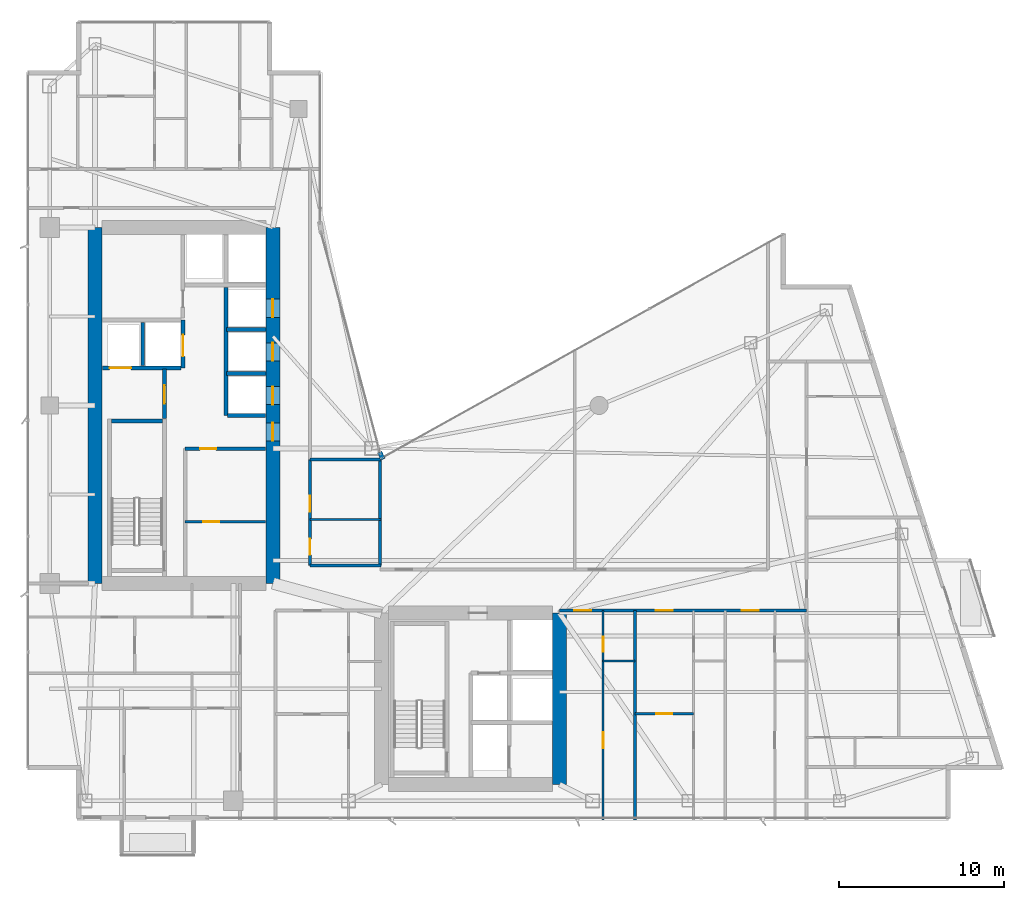
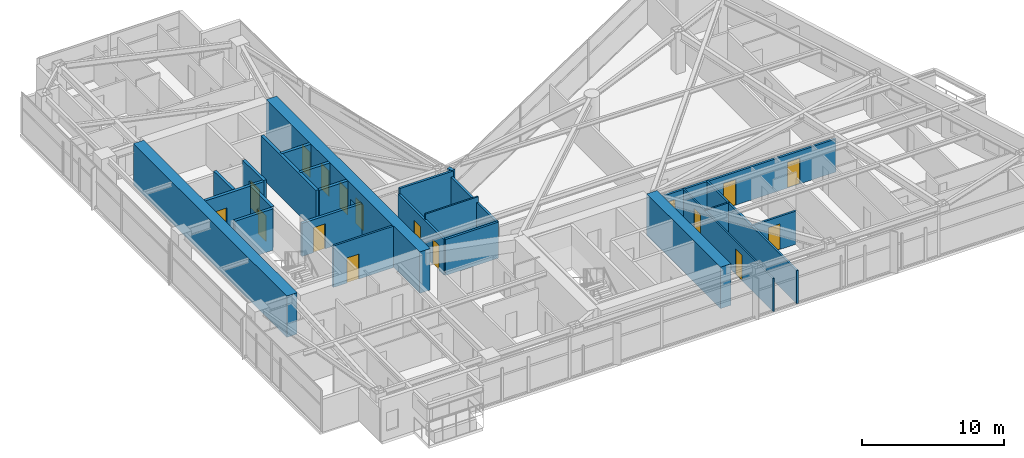
# One storey, part 23 of 29: 25 walls, 17 doors, 17 openings.
"""IFC4 building model written with IfcOpenShell, lengths in metres."""

import ifcopenshell
import ifcopenshell.guid

model = None  # the IFC model being written
_history = None  # IfcOwnerHistory: only IFC2X3 demands one
_inside = {}  # id of a spatial element -> (the spatial element, [elements in it])
_under = {}  # id of a project, library or spatial element -> (it, [spatial elements below it])
_declared = {}  # id of a project -> (the project, [libraries it declares])
_typed = {}  # id of a type object -> (the type object, [elements of that type])
_made_of = {}  # id of a material, layer set ... -> (it, [elements and type objects made of it])


def new_model(schema):
    """Start an empty IFC model of exactly this schema.

    Asked for "IFC4X3", IfcOpenShell would pick the latest addendum, in which some entities
    have other attributes; the version numbers below select the first issue.
    IFC2X3 requires an IfcOwnerHistory on every rooted entity: one is made here for all.
    """
    global model, _history
    if schema == "IFC4X3":
        model = ifcopenshell.file(schema_version=(4, 3, 0, 0))
    else:
        model = ifcopenshell.file(schema=schema)
    _inside.clear()
    _under.clear()
    _declared.clear()
    _typed.clear()
    _made_of.clear()
    _history = None
    if model.schema == "IFC2X3":
        org = make("IfcOrganization", Name="unknown")
        user = make(
            "IfcPersonAndOrganization",
            ThePerson=make("IfcPerson", FamilyName="unknown"),
            TheOrganization=org,
        )
        app = make(
            "IfcApplication",
            ApplicationDeveloper=org,
            Version="unknown",
            ApplicationFullName="unknown",
            ApplicationIdentifier="unknown",
        )
        _history = make(
            "IfcOwnerHistory",
            OwningUser=user,
            OwningApplication=app,
            ChangeAction="ADDED",
            CreationDate=0,
        )
    return model


def make(cls, **values):
    """One entity of the class cls with the attributes given. An attribute that is None is left unset."""
    return model.create_entity(
        cls, **{name: value for name, value in values.items() if value is not None}
    )


def rooted(cls, **values):
    """An entity with a GlobalId (a new one), such as an element, a storey or a relation."""
    return make(cls, GlobalId=ifcopenshell.guid.new(), OwnerHistory=_history, **values)


def si_unit(unit_type, name, prefix=None):
    """IfcSIUnit, for example si_unit("LENGTHUNIT", "METRE", prefix="MILLI")."""
    return make("IfcSIUnit", UnitType=unit_type, Prefix=prefix, Name=name)


def assignment(units):
    """IfcUnitAssignment: the units of a project."""
    return None if units is None else make("IfcUnitAssignment", Units=units)


def point(xyz):
    """IfcCartesianPoint."""
    return None if xyz is None else make("IfcCartesianPoint", Coordinates=xyz)


def direction(xyz):
    """IfcDirection."""
    return None if xyz is None else make("IfcDirection", DirectionRatios=xyz)


def frame(location, z_axis=None, x_axis=None):
    """IfcAxis2Placement3D, a coordinate frame: its origin and axes. An axis left out is left unset."""
    return make(
        "IfcAxis2Placement3D",
        Location=point(location),
        Axis=direction(z_axis),
        RefDirection=direction(x_axis),
    )


def frame_2d(location, x_axis=None):
    """IfcAxis2Placement2D, a coordinate frame in the plane: its origin and x axis."""
    return make(
        "IfcAxis2Placement2D", Location=point(location), RefDirection=direction(x_axis)
    )


def origin():
    """The frame at (0, 0, 0) with its axes left unset."""
    return frame((0.0, 0.0, 0.0))


def place(relative_to, where):
    """IfcLocalPlacement: puts the frame where relative to a parent placement (None: the world)."""
    return make(
        "IfcLocalPlacement", PlacementRelTo=relative_to, RelativePlacement=where
    )


def context(
    kind, dimensions, precision=None, world=None, true_north=None, identifier=None
):
    """IfcGeometricRepresentationContext, for example the 3D "Model" context."""
    return make(
        "IfcGeometricRepresentationContext",
        ContextIdentifier=identifier,
        ContextType=kind,
        CoordinateSpaceDimension=dimensions,
        Precision=precision,
        WorldCoordinateSystem=world,
        TrueNorth=true_north,
    )


def subcontext(parent, identifier, kind, view, scale=None):
    """IfcGeometricRepresentationSubContext, for example "Body" below "Model"."""
    return make(
        "IfcGeometricRepresentationSubContext",
        ContextIdentifier=identifier,
        ContextType=kind,
        ParentContext=parent,
        TargetScale=scale,
        TargetView=view,
    )


def project(units=None, contexts=None):
    """IfcProject with its units and contexts."""
    return rooted(
        "IfcProject",
        Name="project",
        RepresentationContexts=contexts,
        UnitsInContext=assignment(units),
    )


def spatial(cls, under=None, at=None, **own):
    """A site, building, storey or space (cls), placed at a placement, below another one or the project."""
    s = rooted(cls, ObjectPlacement=at, **own)
    if under is not None:
        _under.setdefault(under.id(), (under, []))[1].append(s)
    return s


def profile(cls, at=None, kind="AREA", **sizes):
    """A parametric profile (cls). Its sizes go by their IFC names, for example OverallWidth=200.0."""
    return make(cls, ProfileType=kind, Position=at, **sizes)


def rectangle(**sizes):
    """IfcRectangleProfileDef."""
    return profile("IfcRectangleProfileDef", **sizes)


def extrude(swept, where, along, depth):
    """IfcExtrudedAreaSolid: the profile swept, set in the frame where, extruded along a direction by depth."""
    return make(
        "IfcExtrudedAreaSolid",
        SweptArea=swept,
        Position=where,
        ExtrudedDirection=direction(along),
        Depth=depth,
    )


def shape(context_of_items, identifier, shape_type, items):
    """IfcShapeRepresentation: the items that make up one representation, for example the "Body"."""
    return make(
        "IfcShapeRepresentation",
        ContextOfItems=context_of_items,
        RepresentationIdentifier=identifier,
        RepresentationType=shape_type,
        Items=items,
    )


def material(Name=None, Category=None):
    """IfcMaterial."""
    return make("IfcMaterial", Name=Name, Category=Category)


def layer(
    of_material, thickness, ventilated=None, Name=None, Category=None, Priority=None
):
    """IfcMaterialLayer: one layer of a wall or slab, of a material (None: an air gap)."""
    return make(
        "IfcMaterialLayer",
        Material=of_material,
        LayerThickness=thickness,
        IsVentilated=ventilated,
        Name=Name,
        Category=Category,
        Priority=Priority,
    )


def layer_set(layers, Name=None):
    """IfcMaterialLayerSet."""
    return make("IfcMaterialLayerSet", MaterialLayers=layers, LayerSetName=Name)


def made_of(thing, what):
    """Note that an element or type object is made of a material, layer set ...; save() writes the relation."""
    if what is not None:
        _made_of.setdefault(what.id(), (what, []))[1].append(thing)
    return thing


def type_object(cls, material=None, **own):
    """A type object (cls), such as IfcWallType, which elements share."""
    return made_of(rooted(cls, **own), material)


def element(
    cls,
    number,
    at=None,
    inside=None,
    cuts=None,
    type_object=None,
    material=None,
    context=None,
    identifier="Body",
    shape_type=None,
    held_by="IfcProductDefinitionShape",
    body=None,
    shapes=None,
    **own,
):
    """One element of the class cls, such as IfcWall. Its Tag is "e" and its number.

    at: its placement. inside: the storey or other place that contains it. cuts: it is an
    opening in that element (IfcRelVoidsElement). A single representation is given by context,
    identifier, shape_type and body (its items); several are given by shapes. held_by: the class
    of the entity that holds the representations. save() writes the other relations.
    """
    e = rooted(cls, Tag="e%d" % number, ObjectPlacement=at, **own)
    if body is not None:
        shapes = [shape(context, identifier, shape_type, body)]
    if shapes is not None:
        e.Representation = make(held_by, Representations=shapes)
    if inside is not None:
        _inside.setdefault(inside.id(), (inside, []))[1].append(e)
    if cuts is not None:
        rooted(
            "IfcRelVoidsElement", RelatingBuildingElement=cuts, RelatedOpeningElement=e
        )
    if type_object is not None:
        _typed.setdefault(type_object.id(), (type_object, []))[1].append(e)
    return made_of(e, material)


def fill(opening, filler):
    """IfcRelFillsElement: the door or window that sits in an opening."""
    return rooted(
        "IfcRelFillsElement",
        RelatingOpeningElement=opening,
        RelatedBuildingElement=filler,
    )


def aggregate(whole, parts):
    """IfcRelAggregates: a whole, such as a stair, and the parts it consists of."""
    return rooted("IfcRelAggregates", RelatingObject=whole, RelatedObjects=parts)


def save(model, path):
    """Write the relations noted so far, then the file.

    IfcRelAggregates (storeys below a building ...), IfcRelContainedInSpatialStructure (elements
    in a storey), IfcRelDefinesByType, IfcRelAssociatesMaterial and IfcRelDeclares: one each for
    every whole, place, type object, material and project.
    """
    for whole, parts in _under.values():
        aggregate(whole, parts)
    for where, things in _inside.values():
        rooted(
            "IfcRelContainedInSpatialStructure",
            RelatedElements=things,
            RelatingStructure=where,
        )
    for kind, things in _typed.values():
        rooted("IfcRelDefinesByType", RelatedObjects=things, RelatingType=kind)
    for what, things in _made_of.values():
        rooted("IfcRelAssociatesMaterial", RelatedObjects=things, RelatingMaterial=what)
    for by, libraries in _declared.values():
        rooted("IfcRelDeclares", RelatingContext=by, RelatedDefinitions=libraries)
    model.write(path)


model = new_model("IFC4")

# Units and contexts
model_context = context("Model", 3, precision=1e-05, world=origin(), true_north=direction((0.0, 1.0)))
body_context = subcontext(model_context, "Body", "Model", "MODEL_VIEW")
ifc_project = project(units=[si_unit("LENGTHUNIT", "METRE"), si_unit("AREAUNIT", "SQUARE_METRE"), si_unit("VOLUMEUNIT", "CUBIC_METRE"), si_unit("PLANEANGLEUNIT", "RADIAN"), si_unit("MASSUNIT", "GRAM", prefix="KILO")], contexts=[model_context])

# Site, building, storey
site_placement = place(None, origin())
site = spatial("IfcSite", under=ifc_project, at=site_placement, CompositionType="ELEMENT")
building_placement = place(site_placement, origin())
building = spatial("IfcBuilding", under=site, at=building_placement, Name="Calvorn Quay Hotel", CompositionType="ELEMENT")
storey_placement = place(building_placement, frame((0.0, 0.0, 105.0)))
storey = spatial("IfcBuildingStorey", under=building, at=storey_placement, Name="L25", CompositionType="ELEMENT", Elevation=105.0)

# Wall
ifc_material_1 = material(Name="Concrete C50", Category="concrete")
ifc_layer_1 = layer(ifc_material_1, 0.85009765625)
ifc_layer_set_1 = layer_set([ifc_layer_1], Name="WL-CORE-850")
wall_type_1 = type_object("IfcWallType", Name="WL-CORE-850", PredefinedType="SHEAR", material=ifc_layer_set_1)
wall_1_placement = place(storey_placement, frame((4.199951171875, 16.800048828125, 0.0), z_axis=(0.0, 0.0, 1.0), x_axis=(0.0, 1.0, 0.0)))
element("IfcWall", 1, at=wall_1_placement, inside=storey, type_object=wall_type_1, Name="West Core Shear Wall W (L25)", PredefinedType="SHEAR", context=body_context, shape_type="SweptSolid", body=[
    extrude(rectangle(XDim=21.599853515625, YDim=0.85009765625, at=frame_2d((10.7998046875, 0.0))), origin(), (0.0, 0.0, 1.0), 3.56005859375),
])

# Wall, openings, doors
wall_2_placement = place(storey_placement, frame((15.0, 16.800048828125, 0.0), z_axis=(0.0, 0.0, 1.0), x_axis=(0.0, 1.0, 0.0)))
wall_2 = element("IfcWall", 2, at=wall_2_placement, inside=storey, type_object=wall_type_1, Name="West Core Shear Wall E (L25)", PredefinedType="SHEAR", context=body_context, shape_type="SweptSolid", body=[
    extrude(rectangle(XDim=21.599853515625, YDim=0.85009765625, at=frame_2d((10.7998046875, 0.0))), origin(), (0.0, 0.0, 1.0), 3.56005859375),
])
opening_1_placement = place(wall_2_placement, frame((8.64990234375, 0.0, 0.0)))
opening_1 = element("IfcOpeningElement", 3, at=opening_1_placement, cuts=wall_2, Name="Opening D-L25-CW1", PredefinedType="OPENING", context=body_context, shape_type="SweptSolid", body=[
    extrude(rectangle(XDim=1.10009765625, YDim=2.199951171875, at=frame_2d((0.550048828125, 1.10009765625))), frame((0.0, 0.43505859375, 0.0), z_axis=(0.0, -1.0, 0.0), x_axis=(1.0, 0.0, 0.0)), (0.0, 0.0, 1.0), 0.8701171875),
])
opening_2_placement = place(wall_2_placement, frame((10.85009765625, 0.0, 0.0)))
opening_2 = element("IfcOpeningElement", 4, at=opening_2_placement, cuts=wall_2, Name="Opening LD-L25-M1", PredefinedType="OPENING", context=body_context, shape_type="SweptSolid", body=[
    extrude(rectangle(XDim=1.10009765625, YDim=2.199951171875, at=frame_2d((0.550048828125, 1.10009765625))), frame((0.0, 0.43505859375, 0.0), z_axis=(0.0, -1.0, 0.0), x_axis=(1.0, 0.0, 0.0)), (0.0, 0.0, 1.0), 0.8701171875),
])
opening_3_placement = place(wall_2_placement, frame((13.5, 0.0, 0.0)))
opening_3 = element("IfcOpeningElement", 5, at=opening_3_placement, cuts=wall_2, Name="Opening LD-L25-M2", PredefinedType="OPENING", context=body_context, shape_type="SweptSolid", body=[
    extrude(rectangle(XDim=1.10009765625, YDim=2.199951171875, at=frame_2d((0.550048828125, 1.10009765625))), frame((0.0, 0.43505859375, 0.0), z_axis=(0.0, -1.0, 0.0), x_axis=(1.0, 0.0, 0.0)), (0.0, 0.0, 1.0), 0.8701171875),
])
opening_4_placement = place(wall_2_placement, frame((16.14990234375, 0.0, 0.0)))
opening_4 = element("IfcOpeningElement", 6, at=opening_4_placement, cuts=wall_2, Name="Opening LD-L25-M3", PredefinedType="OPENING", context=body_context, shape_type="SweptSolid", body=[
    extrude(rectangle(XDim=1.10009765625, YDim=2.199951171875, at=frame_2d((0.550048828125, 1.10009765625))), frame((0.0, 0.43505859375, 0.0), z_axis=(0.0, -1.0, 0.0), x_axis=(1.0, 0.0, 0.0)), (0.0, 0.0, 1.0), 0.8701171875),
])
ifc_material_2 = material(Name="Smoke-Sealed Steel Class A Fire Door", Category="steel")
door_type_1 = type_object("IfcDoorType", Name="DR-FFLOBBY-1100", OperationType="NOTDEFINED", PredefinedType="DOOR", material=ifc_material_2)
door_1_placement = place(opening_1_placement, origin())
door_1 = element("IfcDoor", 7, at=door_1_placement, inside=storey, type_object=door_type_1, Name="West Core Vestibule Fire Door (L25)", OperationType="SINGLE_SWING_RIGHT", OverallHeight=2.199951171875, OverallWidth=1.10009765625, PredefinedType="DOOR", context=body_context, shape_type="SweptSolid", body=[
    extrude(rectangle(XDim=1.10009765625, YDim=2.199951171875, at=frame_2d((0.550048828125, 1.10009765625))), frame((0.0, 0.02490234375, 0.0), z_axis=(0.0, -1.0, 0.0), x_axis=(1.0, 0.0, 0.0)), (0.0, 0.0, 1.0), 0.050048828125),
])
fill(opening_1, door_1)
ifc_material_3 = material(Name="Brushed Stainless Steel Sliding Lift Landing Door", Category="steel")
door_type_2 = type_object("IfcDoorType", Name="DR-LIFT-PASS-1100", OperationType="NOTDEFINED", PredefinedType="DOOR", material=ifc_material_3)
door_2_placement = place(opening_2_placement, origin())
door_2 = element("IfcDoor", 8, at=door_2_placement, inside=storey, type_object=door_type_2, Name="Mid-Rise Lift PL-M1 Landing Door (L25)", OperationType="DOUBLE_DOOR_SLIDING", OverallHeight=2.199951171875, OverallWidth=1.10009765625, PredefinedType="DOOR", context=body_context, shape_type="SweptSolid", body=[
    extrude(rectangle(XDim=1.10009765625, YDim=2.199951171875, at=frame_2d((0.550048828125, 1.10009765625))), frame((0.0, 0.02490234375, 0.0), z_axis=(0.0, -1.0, 0.0), x_axis=(1.0, 0.0, 0.0)), (0.0, 0.0, 1.0), 0.050048828125),
])
fill(opening_2, door_2)
door_3_placement = place(opening_3_placement, origin())
door_3 = element("IfcDoor", 9, at=door_3_placement, inside=storey, type_object=door_type_2, Name="Mid-Rise Lift PL-M2 Landing Door (L25)", OperationType="DOUBLE_DOOR_SLIDING", OverallHeight=2.199951171875, OverallWidth=1.10009765625, PredefinedType="DOOR", context=body_context, shape_type="SweptSolid", body=[
    extrude(rectangle(XDim=1.10009765625, YDim=2.199951171875, at=frame_2d((0.550048828125, 1.10009765625))), frame((0.0, 0.02490234375, 0.0), z_axis=(0.0, -1.0, 0.0), x_axis=(1.0, 0.0, 0.0)), (0.0, 0.0, 1.0), 0.050048828125),
])
fill(opening_3, door_3)
door_4_placement = place(opening_4_placement, origin())
door_4 = element("IfcDoor", 10, at=door_4_placement, inside=storey, type_object=door_type_2, Name="Mid-Rise Lift PL-M3 Landing Door (L25)", OperationType="DOUBLE_DOOR_SLIDING", OverallHeight=2.199951171875, OverallWidth=1.10009765625, PredefinedType="DOOR", context=body_context, shape_type="SweptSolid", body=[
    extrude(rectangle(XDim=1.10009765625, YDim=2.199951171875, at=frame_2d((0.550048828125, 1.10009765625))), frame((0.0, 0.02490234375, 0.0), z_axis=(0.0, -1.0, 0.0), x_axis=(1.0, 0.0, 0.0)), (0.0, 0.0, 1.0), 0.050048828125),
])
fill(opening_4, door_4)

# Walls
wall_3_placement = place(storey_placement, frame((32.39990234375, 4.60009765625, 0.0), z_axis=(0.0, 0.0, 1.0), x_axis=(0.0, 1.0, 0.0)))
element("IfcWall", 11, at=wall_3_placement, inside=storey, type_object=wall_type_1, Name="East Core Shear Wall E (L25)", PredefinedType="SHEAR", context=body_context, shape_type="SweptSolid", body=[
    extrude(rectangle(XDim=10.39990234375, YDim=0.85009765625, at=frame_2d((5.199951171875, 0.0))), origin(), (0.0, 0.0, 1.0), 3.56005859375),
])
ifc_material_4 = material(Name="Acoustic Fireboard Steel-Stud Partition", Category="steel")
ifc_layer_2 = layer(ifc_material_4, 0.179931640625)
ifc_layer_set_2 = layer_set([ifc_layer_2], Name="WL-CORR-FIRE-180")
wall_type_2 = type_object("IfcWallType", Name="WL-CORR-FIRE-180", PredefinedType="PARTITIONING", material=ifc_layer_set_2)
wall_4_placement = place(storey_placement, frame((17.25, 17.8798828125, 0.0), z_axis=(0.0, 0.0, 1.0), x_axis=(1.0, 0.0, 0.0)))
element("IfcWall", 12, at=wall_4_placement, inside=storey, type_object=wall_type_2, Name="Partition Wall L25-WL-HK-S", PredefinedType="PARTITIONING", context=body_context, shape_type="SweptSolid", body=[
    extrude(rectangle(XDim=4.300048828125, YDim=0.179931640625, at=frame_2d((2.14990234375, 0.0))), origin(), (0.0, 0.0, 1.0), 3.090087890625),
])
wall_5_placement = place(storey_placement, frame((17.25, 24.320068359375, 0.0), z_axis=(0.0, 0.0, 1.0), x_axis=(1.0, 0.0, 0.0)))
element("IfcWall", 13, at=wall_5_placement, inside=storey, type_object=wall_type_2, Name="Partition Wall L25-WL-HK-N", PredefinedType="PARTITIONING", context=body_context, shape_type="SweptSolid", body=[
    extrude(rectangle(XDim=4.35009765625, YDim=0.179931640625, at=frame_2d((2.175048828125, 0.0))), origin(), (0.0, 0.0, 1.0), 3.56005859375),
])
wall_6_placement = place(storey_placement, frame((21.5, 17.8798828125, 0.0), z_axis=(0.0, 0.0, 1.0), x_axis=(0.0, 1.0, 0.0)))
element("IfcWall", 14, at=wall_6_placement, inside=storey, type_object=wall_type_2, Name="Partition Wall L25-WL-HK-E", PredefinedType="PARTITIONING", context=body_context, shape_type="SweptSolid", body=[
    extrude(rectangle(XDim=6.440185546875, YDim=0.179931640625, at=frame_2d((3.22021484375, 0.0))), origin(), (0.0, 0.0, 1.0), 3.090087890625),
])

# Wall, openings, doors
wall_7_placement = place(storey_placement, frame((17.25, 17.8798828125, 0.0), z_axis=(0.0, 0.0, 1.0), x_axis=(0.0, 1.0, 0.0)))
wall_7 = element("IfcWall", 15, at=wall_7_placement, inside=storey, type_object=wall_type_2, Name="Partition Wall L25-WL-HK-W", PredefinedType="PARTITIONING", context=body_context, shape_type="SweptSolid", body=[
    extrude(rectangle(XDim=6.440185546875, YDim=0.179931640625, at=frame_2d((3.22021484375, 0.0))), origin(), (0.0, 0.0, 1.0), 3.090087890625),
])
opening_5_placement = place(wall_7_placement, frame((0.64990234375, 0.0, 0.0)))
opening_5 = element("IfcOpeningElement", 16, at=opening_5_placement, cuts=wall_7, Name="Opening D-L25-HK", PredefinedType="OPENING", context=body_context, shape_type="SweptSolid", body=[
    extrude(rectangle(XDim=0.97998046875, YDim=2.14990234375, at=frame_2d((0.489990234375, 1.074951171875))), frame((0.0, 0.099853515625, 0.0), z_axis=(0.0, -1.0, 0.0), x_axis=(1.0, 0.0, 0.0)), (0.0, 0.0, 1.0), 0.199951171875),
])
opening_6_placement = place(wall_7_placement, frame((3.27001953125, 0.0, 0.0)))
opening_6 = element("IfcOpeningElement", 17, at=opening_6_placement, cuts=wall_7, Name="Opening D-L25-NCP", PredefinedType="OPENING", context=body_context, shape_type="SweptSolid", body=[
    extrude(rectangle(XDim=0.9599609375, YDim=2.199951171875, at=frame_2d((0.47998046875, 1.10009765625))), frame((0.0, 0.099853515625, 0.0), z_axis=(0.0, -1.0, 0.0), x_axis=(1.0, 0.0, 0.0)), (0.0, 0.0, 1.0), 0.199951171875),
])
ifc_material_5 = material(Name="Painted Steel Housekeeping/Riser Fire Door", Category="steel")
door_type_3 = type_object("IfcDoorType", Name="DR-SERVICE-980", OperationType="NOTDEFINED", PredefinedType="DOOR", material=ifc_material_5)
door_5_placement = place(opening_5_placement, origin())
door_5 = element("IfcDoor", 18, at=door_5_placement, inside=storey, type_object=door_type_3, Name="Floor Housekeeping Door (L25)", OperationType="SINGLE_SWING_LEFT", OverallHeight=2.14990234375, OverallWidth=0.97998046875, PredefinedType="DOOR", context=body_context, shape_type="SweptSolid", body=[
    extrude(rectangle(XDim=0.97998046875, YDim=2.14990234375, at=frame_2d((0.489990234375, 1.074951171875))), frame((0.0, 0.02490234375, 0.0), z_axis=(0.0, -1.0, 0.0), x_axis=(1.0, 0.0, 0.0)), (0.0, 0.0, 1.0), 0.050048828125),
])
fill(opening_5, door_5)
ifc_material_6 = material(Name="Solid Timber Internal Suite Door", Category="wood")
door_type_4 = type_object("IfcDoorType", Name="DR-SUITE-INT-960", OperationType="NOTDEFINED", PredefinedType="DOOR", material=ifc_material_6)
door_6_placement = place(opening_6_placement, origin())
door_6 = element("IfcDoor", 19, at=door_6_placement, inside=storey, type_object=door_type_4, Name="Reading Alcove Door (L25)", OperationType="SINGLE_SWING_RIGHT", OverallHeight=2.199951171875, OverallWidth=0.9599609375, PredefinedType="DOOR", context=body_context, shape_type="SweptSolid", body=[
    extrude(rectangle(XDim=0.9599609375, YDim=2.199951171875, at=frame_2d((0.47998046875, 1.10009765625))), frame((0.0, 0.02490234375, 0.0), z_axis=(0.0, -1.0, 0.0), x_axis=(1.0, 0.0, 0.0)), (0.0, 0.0, 1.0), 0.050048828125),
])
fill(opening_6, door_6)

wall_8_placement = place(storey_placement, frame((32.39990234375, 15.14990234375, 0.0), z_axis=(0.0, 0.0, 1.0), x_axis=(1.0, 0.0, 0.0)))
wall_8 = element("IfcWall", 20, at=wall_8_placement, inside=storey, type_object=wall_type_2, Name="Partition Wall L25-WL-CORR-SE-S", PredefinedType="PARTITIONING", context=body_context, shape_type="SweptSolid", body=[
    extrude(rectangle(XDim=15.0, YDim=0.179931640625, at=frame_2d((7.5, 0.0))), origin(), (0.0, 0.0, 1.0), 2.840087890625),
])
opening_7_placement = place(wall_8_placement, frame((0.909912109375, 0.0, 0.0)))
opening_7 = element("IfcOpeningElement", 21, at=opening_7_placement, cuts=wall_8, Name="Opening D-L25-U06", PredefinedType="OPENING", context=body_context, shape_type="SweptSolid", body=[
    extrude(rectangle(XDim=1.02001953125, YDim=2.199951171875, at=frame_2d((0.510009765625, 1.10009765625))), frame((0.0, 0.099853515625, 0.0), z_axis=(0.0, -1.0, 0.0), x_axis=(1.0, 0.0, 0.0)), (0.0, 0.0, 1.0), 0.199951171875),
])
opening_8_placement = place(wall_8_placement, frame((5.85009765625, 0.0, 0.0)))
opening_8 = element("IfcOpeningElement", 22, at=opening_8_placement, cuts=wall_8, Name="Opening D-L25-U07", PredefinedType="OPENING", context=body_context, shape_type="SweptSolid", body=[
    extrude(rectangle(XDim=1.02001953125, YDim=2.199951171875, at=frame_2d((0.510009765625, 1.10009765625))), frame((0.0, 0.099853515625, 0.0), z_axis=(0.0, -1.0, 0.0), x_axis=(1.0, 0.0, 0.0)), (0.0, 0.0, 1.0), 0.199951171875),
])
opening_9_placement = place(wall_8_placement, frame((11.06005859375, 0.0, 0.0)))
opening_9 = element("IfcOpeningElement", 23, at=opening_9_placement, cuts=wall_8, Name="Opening D-L25-U08", PredefinedType="OPENING", context=body_context, shape_type="SweptSolid", body=[
    extrude(rectangle(XDim=1.02001953125, YDim=2.199951171875, at=frame_2d((0.510009765625, 1.10009765625))), frame((0.0, 0.099853515625, 0.0), z_axis=(0.0, -1.0, 0.0), x_axis=(1.0, 0.0, 0.0)), (0.0, 0.0, 1.0), 0.199951171875),
])
ifc_material_7 = material(Name="Solid-Core Walnut Veneer Hotel Fire Door")
door_type_5 = type_object("IfcDoorType", Name="DR-GUEST-ENTRY-1020", OperationType="NOTDEFINED", PredefinedType="DOOR", material=ifc_material_7)
door_7_placement = place(opening_7_placement, origin())
door_7 = element("IfcDoor", 24, at=door_7_placement, inside=storey, type_object=door_type_5, Name="South-East Unit Door U06 (L25)", OperationType="SINGLE_SWING_LEFT", OverallHeight=2.199951171875, OverallWidth=1.02001953125, PredefinedType="DOOR", context=body_context, shape_type="SweptSolid", body=[
    extrude(rectangle(XDim=1.02001953125, YDim=2.199951171875, at=frame_2d((0.510009765625, 1.10009765625))), frame((0.0, 0.02490234375, 0.0), z_axis=(0.0, -1.0, 0.0), x_axis=(1.0, 0.0, 0.0)), (0.0, 0.0, 1.0), 0.050048828125),
])
fill(opening_7, door_7)
door_8_placement = place(opening_8_placement, origin())
door_8 = element("IfcDoor", 25, at=door_8_placement, inside=storey, type_object=door_type_5, Name="South-East Unit Door U07 (L25)", OperationType="SINGLE_SWING_RIGHT", OverallHeight=2.199951171875, OverallWidth=1.02001953125, PredefinedType="DOOR", context=body_context, shape_type="SweptSolid", body=[
    extrude(rectangle(XDim=1.02001953125, YDim=2.199951171875, at=frame_2d((0.510009765625, 1.10009765625))), frame((0.0, 0.02490234375, 0.0), z_axis=(0.0, -1.0, 0.0), x_axis=(1.0, 0.0, 0.0)), (0.0, 0.0, 1.0), 0.050048828125),
])
fill(opening_8, door_8)
door_9_placement = place(opening_9_placement, origin())
door_9 = element("IfcDoor", 26, at=door_9_placement, inside=storey, type_object=door_type_5, Name="South-East Unit Door U08 (L25)", OperationType="SINGLE_SWING_LEFT", OverallHeight=2.199951171875, OverallWidth=1.02001953125, PredefinedType="DOOR", context=body_context, shape_type="SweptSolid", body=[
    extrude(rectangle(XDim=1.02001953125, YDim=2.199951171875, at=frame_2d((0.510009765625, 1.10009765625))), frame((0.0, 0.02490234375, 0.0), z_axis=(0.0, -1.0, 0.0), x_axis=(1.0, 0.0, 0.0)), (0.0, 0.0, 1.0), 0.050048828125),
])
fill(opening_9, door_9)

# Walls
ifc_material_8 = material(Name="Moisture-Resistant Tile-Backed Partition")
ifc_layer_3 = layer(ifc_material_8, 0.125)
ifc_layer_set_3 = layer_set([ifc_layer_3], Name="WL-ENSUITE-125")
wall_type_3 = type_object("IfcWallType", Name="WL-ENSUITE-125", PredefinedType="PARTITIONING", material=ifc_layer_set_3)
wall_9_placement = place(storey_placement, frame((17.25, 20.679931640625, 0.0), z_axis=(0.0, 0.0, 1.0), x_axis=(1.0, 0.0, 0.0)))
element("IfcWall", 27, at=wall_9_placement, inside=storey, type_object=wall_type_3, Name="Partition Wall L25-WL-HK-M", PredefinedType="PARTITIONING", context=body_context, shape_type="SweptSolid", body=[
    extrude(rectangle(XDim=4.300048828125, YDim=0.125, at=frame_2d((2.14990234375, 0.0))), origin(), (0.0, 0.0, 1.0), 3.56005859375),
])
wall_10_placement = place(storey_placement, frame((35.050048828125, 12.10009765625, 0.0), z_axis=(0.0, 0.0, 1.0), x_axis=(1.0, 0.0, 0.0)))
element("IfcWall", 28, at=wall_10_placement, inside=storey, type_object=wall_type_3, Name="Partition Wall L25-WL-U06-BDV", PredefinedType="PARTITIONING", context=body_context, shape_type="SweptSolid", body=[
    extrude(rectangle(XDim=1.929931640625, YDim=0.125, at=frame_2d((0.96484375, 0.0))), origin(), (0.0, 0.0, 1.0), 2.840087890625),
])

# Wall, openings, doors
wall_11_placement = place(storey_placement, frame((35.050048828125, 2.43994140625, 0.0), z_axis=(0.0, 0.0, 1.0), x_axis=(0.0, 1.0, 0.0)))
wall_11 = element("IfcWall", 29, at=wall_11_placement, inside=storey, type_object=wall_type_3, Name="Partition Wall L25-WL-U06-BV", PredefinedType="PARTITIONING", context=body_context, shape_type="SweptSolid", body=[
    extrude(rectangle(XDim=12.7099609375, YDim=0.125, at=frame_2d((6.35498046875, 0.0))), origin(), (0.0, 0.0, 1.0), 2.840087890625),
])
opening_10_placement = place(wall_11_placement, frame((4.35009765625, 0.0, 0.0)))
opening_10 = element("IfcOpeningElement", 30, at=opening_10_placement, cuts=wall_11, Name="Opening D-L25-S06", PredefinedType="OPENING", context=body_context, shape_type="SweptSolid", body=[
    extrude(rectangle(XDim=0.9599609375, YDim=2.199951171875, at=frame_2d((0.47998046875, 1.10009765625))), frame((0.0, 0.072509765625, 0.0), z_axis=(0.0, -1.0, 0.0), x_axis=(1.0, 0.0, 0.0)), (0.0, 0.0, 1.0), 0.14501953125),
])
opening_11_placement = place(wall_11_placement, frame((10.2099609375, 0.0, 0.0)))
opening_11 = element("IfcOpeningElement", 31, at=opening_11_placement, cuts=wall_11, Name="Opening D-L25-E06", PredefinedType="OPENING", context=body_context, shape_type="SweptSolid", body=[
    extrude(rectangle(XDim=0.89990234375, YDim=2.14990234375, at=frame_2d((0.449951171875, 1.074951171875))), frame((0.0, 0.072509765625, 0.0), z_axis=(0.0, -1.0, 0.0), x_axis=(1.0, 0.0, 0.0)), (0.0, 0.0, 1.0), 0.14501953125),
])
ifc_material_9 = material(Name="Moisture-Sealed Timber En-Suite Door", Category="wood")
door_type_6 = type_object("IfcDoorType", Name="DR-ENSUITE-900", OperationType="NOTDEFINED", PredefinedType="DOOR", material=ifc_material_9)
door_10_placement = place(opening_11_placement, origin())
door_10 = element("IfcDoor", 32, at=door_10_placement, inside=storey, type_object=door_type_6, Name="En-Suite Door 06", OperationType="SINGLE_SWING_RIGHT", OverallHeight=2.14990234375, OverallWidth=0.89990234375, PredefinedType="DOOR", context=body_context, shape_type="SweptSolid", body=[
    extrude(rectangle(XDim=0.89990234375, YDim=2.14990234375, at=frame_2d((0.449951171875, 1.074951171875))), frame((0.0, 0.02490234375, 0.0), z_axis=(0.0, -1.0, 0.0), x_axis=(1.0, 0.0, 0.0)), (0.0, 0.0, 1.0), 0.050048828125),
])
fill(opening_11, door_10)
door_11_placement = place(opening_10_placement, origin())
door_11 = element("IfcDoor", 33, at=door_11_placement, inside=storey, type_object=door_type_4, Name="Harbour Dining Den Door 06", OperationType="SINGLE_SWING_LEFT", OverallHeight=2.199951171875, OverallWidth=0.9599609375, PredefinedType="DOOR", context=body_context, shape_type="SweptSolid", body=[
    extrude(rectangle(XDim=0.9599609375, YDim=2.199951171875, at=frame_2d((0.47998046875, 1.10009765625))), frame((0.0, 0.02490234375, 0.0), z_axis=(0.0, -1.0, 0.0), x_axis=(1.0, 0.0, 0.0)), (0.0, 0.0, 1.0), 0.050048828125),
])
fill(opening_10, door_11)

# Wall
ifc_material_10 = material(Name="Concrete C40", Category="concrete")
ifc_layer_4 = layer(ifc_material_10, 0.320068359375)
ifc_layer_set_4 = layer_set([ifc_layer_4], Name="WL-EXT-SPANDREL-320")
wall_type_4 = type_object("IfcWallType", Name="WL-EXT-SPANDREL-320", PredefinedType="SOLIDWALL", material=ifc_layer_set_4)
wall_12_placement = place(storey_placement, frame((21.679931640625, 24.340087890625, 0.0), z_axis=(0.0, 0.0, 1.0), x_axis=(-0.40758134973, 0.913168901875, 0.0)))
element("IfcWall", 34, at=wall_12_placement, inside=storey, type_object=wall_type_4, Name="Inner Court Corner Pier L25-ICJ1", PredefinedType="SOLIDWALL", context=body_context, shape_type="SweptSolid", body=[
    extrude(rectangle(XDim=0.470703125, YDim=0.280029296875, at=frame_2d((0.2353515625, 0.0))), origin(), (0.0, 0.0, 1.0), 3.56005859375),
])

# Wall, opening, door
ifc_material_11 = material(Name="Double-Stud Acoustic Gypsum Partition")
ifc_layer_5 = layer(ifc_material_11, 0.159912109375)
ifc_layer_set_5 = layer_set([ifc_layer_5], Name="WL-INTERSUITE-160")
wall_type_5 = type_object("IfcWallType", Name="WL-INTERSUITE-160", PredefinedType="PARTITIONING", material=ifc_layer_set_5)
wall_13_placement = place(storey_placement, frame((9.679931640625, 20.550048828125, 0.0), z_axis=(0.0, 0.0, 1.0), x_axis=(1.0, 0.0, 0.0)))
wall_13 = element("IfcWall", 35, at=wall_13_placement, inside=storey, type_object=wall_type_5, Name="Partition Wall L25-WL-CWW-FR-SPLIT", PredefinedType="PARTITIONING", context=body_context, shape_type="SweptSolid", body=[
    extrude(rectangle(XDim=4.875, YDim=0.159912109375, at=frame_2d((2.4375, 0.0))), origin(), (0.0, 0.0, 1.0), 3.56005859375),
])
opening_12_placement = place(wall_13_placement, frame((1.10009765625, 0.0, 0.0)))
opening_12 = element("IfcOpeningElement", 36, at=opening_12_placement, cuts=wall_13, Name="Opening D-L25-FRL1", PredefinedType="OPENING", context=body_context, shape_type="SweptSolid", body=[
    extrude(rectangle(XDim=0.97998046875, YDim=2.14990234375, at=frame_2d((0.489990234375, 1.074951171875))), frame((0.0, 0.08984375, 0.0), z_axis=(0.0, -1.0, 0.0), x_axis=(1.0, 0.0, 0.0)), (0.0, 0.0, 1.0), 0.179931640625),
])
door_12_placement = place(opening_12_placement, origin())
door_12 = element("IfcDoor", 37, at=door_12_placement, inside=storey, type_object=door_type_3, Name="Linen Store Room Door (L25)", OperationType="SINGLE_SWING_LEFT", OverallHeight=2.14990234375, OverallWidth=0.97998046875, PredefinedType="DOOR", context=body_context, shape_type="SweptSolid", body=[
    extrude(rectangle(XDim=0.97998046875, YDim=2.14990234375, at=frame_2d((0.489990234375, 1.074951171875))), frame((0.0, 0.02490234375, 0.0), z_axis=(0.0, -1.0, 0.0), x_axis=(1.0, 0.0, 0.0)), (0.0, 0.0, 1.0), 0.050048828125),
])
fill(opening_12, door_12)

wall_14_placement = place(storey_placement, frame((36.97998046875, 8.8798828125, 0.0), z_axis=(0.0, 0.0, 1.0), x_axis=(1.0, 0.0, 0.0)))
wall_14 = element("IfcWall", 38, at=wall_14_placement, inside=storey, type_object=wall_type_5, Name="Partition Wall L25-WL-U07-MSP", PredefinedType="PARTITIONING", context=body_context, shape_type="SweptSolid", body=[
    extrude(rectangle(XDim=3.56005859375, YDim=0.159912109375, at=frame_2d((1.780029296875, 0.0))), origin(), (0.0, 0.0, 1.0), 2.840087890625),
])
opening_13_placement = place(wall_14_placement, frame((1.300048828125, 0.0, 0.0)))
opening_13 = element("IfcOpeningElement", 39, at=opening_13_placement, cuts=wall_14, Name="Opening D-L25-M07", PredefinedType="OPENING", context=body_context, shape_type="SweptSolid", body=[
    extrude(rectangle(XDim=0.9599609375, YDim=2.199951171875, at=frame_2d((0.47998046875, 1.10009765625))), frame((0.0, 0.08984375, 0.0), z_axis=(0.0, -1.0, 0.0), x_axis=(1.0, 0.0, 0.0)), (0.0, 0.0, 1.0), 0.179931640625),
])
door_13_placement = place(opening_13_placement, origin())
door_13 = element("IfcDoor", 40, at=door_13_placement, inside=storey, type_object=door_type_4, Name="Suite Bedroom Door 07", OperationType="SINGLE_SWING_LEFT", OverallHeight=2.199951171875, OverallWidth=0.9599609375, PredefinedType="DOOR", context=body_context, shape_type="SweptSolid", body=[
    extrude(rectangle(XDim=0.9599609375, YDim=2.199951171875, at=frame_2d((0.47998046875, 1.10009765625))), frame((0.0, 0.02490234375, 0.0), z_axis=(0.0, -1.0, 0.0), x_axis=(1.0, 0.0, 0.0)), (0.0, 0.0, 1.0), 0.050048828125),
])
fill(opening_13, door_13)

# Wall
wall_15_placement = place(storey_placement, frame((36.97998046875, 2.43994140625, 0.0), z_axis=(0.0, 0.0, 1.0), x_axis=(0.0, 1.0, 0.0)))
element("IfcWall", 41, at=wall_15_placement, inside=storey, type_object=wall_type_5, Name="Partition Wall L25-WL-SE-DIV-1", PredefinedType="PARTITIONING", context=body_context, shape_type="SweptSolid", body=[
    extrude(rectangle(XDim=12.7099609375, YDim=0.159912109375, at=frame_2d((6.35498046875, 0.0))), origin(), (0.0, 0.0, 1.0), 2.840087890625),
])

# Wall, opening, door
ifc_material_12 = material(Name="Autoclaved Aerated Masonry Block", Category="masonry")
ifc_layer_6 = layer(ifc_material_12, 0.219970703125)
ifc_layer_set_6 = layer_set([ifc_layer_6], Name="WL-LOBBY-FIRE-220")
wall_type_6 = type_object("IfcWallType", Name="WL-LOBBY-FIRE-220", PredefinedType="SOLIDWALL", material=ifc_layer_set_6)
wall_16_placement = place(storey_placement, frame((9.679931640625, 24.969970703125, 0.0), z_axis=(0.0, 0.0, 1.0), x_axis=(1.0, 0.0, 0.0)))
wall_16 = element("IfcWall", 42, at=wall_16_placement, inside=storey, type_object=wall_type_6, Name="Partition Wall L25-WL-CWW-FR-N", PredefinedType="SOLIDWALL", context=body_context, shape_type="SweptSolid", body=[
    extrude(rectangle(XDim=4.875, YDim=0.219970703125, at=frame_2d((2.4375, 0.0))), origin(), (0.0, 0.0, 1.0), 2.840087890625),
])
opening_14_placement = place(wall_16_placement, frame((0.89990234375, 0.0, 0.0)))
opening_14 = element("IfcOpeningElement", 43, at=opening_14_placement, cuts=wall_16, Name="Opening D-L25-FRL2", PredefinedType="OPENING", context=body_context, shape_type="SweptSolid", body=[
    extrude(rectangle(XDim=0.97998046875, YDim=2.14990234375, at=frame_2d((0.489990234375, 1.074951171875))), frame((0.0, 0.119873046875, 0.0), z_axis=(0.0, -1.0, 0.0), x_axis=(1.0, 0.0, 0.0)), (0.0, 0.0, 1.0), 0.239990234375),
])
door_14_placement = place(opening_14_placement, origin())
door_14 = element("IfcDoor", 44, at=door_14_placement, inside=storey, type_object=door_type_3, Name="Beverage Pantry Door (L25)", OperationType="SINGLE_SWING_RIGHT", OverallHeight=2.14990234375, OverallWidth=0.97998046875, PredefinedType="DOOR", context=body_context, shape_type="SweptSolid", body=[
    extrude(rectangle(XDim=0.97998046875, YDim=2.14990234375, at=frame_2d((0.489990234375, 1.074951171875))), frame((0.0, 0.02490234375, 0.0), z_axis=(0.0, -1.0, 0.0), x_axis=(1.0, 0.0, 0.0)), (0.0, 0.0, 1.0), 0.050048828125),
])
fill(opening_14, door_14)

# Walls
ifc_material_13 = material(Name="Concrete C40", Category="concrete")
ifc_layer_7 = layer(ifc_material_13, 0.239990234375)
ifc_layer_set_7 = layer_set([ifc_layer_7], Name="WL-SHAFT-240")
wall_type_7 = type_object("IfcWallType", Name="WL-SHAFT-240", PredefinedType="SOLIDWALL", material=ifc_layer_set_7)
wall_17_placement = place(storey_placement, frame((5.199951171875, 26.669921875, 0.0), z_axis=(0.0, 0.0, 1.0), x_axis=(1.0, 0.0, 0.0)))
element("IfcWall", 45, at=wall_17_placement, inside=storey, type_object=wall_type_7, Name="Stair STW Shaft Wall N (L25)", PredefinedType="SOLIDWALL", context=body_context, shape_type="SweptSolid", body=[
    extrude(rectangle(XDim=3.10009765625, YDim=0.239990234375, at=frame_2d((1.550048828125, 0.0))), origin(), (0.0, 0.0, 1.0), 3.56005859375),
])
for number, where, z_axis, x_axis, name in (
    (46, (12.179931640625, 29.550048828125, 0.0), (0.0, 0.0, 1.0), (1.0, 0.0, 0.0), "Lift Hoistway Divider Wall PLM12 (L25)"),
    (47, (12.179931640625, 32.199951171875, 0.0), (0.0, 0.0, 1.0), (1.0, 0.0, 0.0), "Lift Hoistway Divider Wall PLM23 (L25)"),
):
    element("IfcWall", number, at=place(storey_placement, frame(where, z_axis=z_axis, x_axis=x_axis)), inside=storey, type_object=wall_type_7, Name=name, PredefinedType="SOLIDWALL", context=body_context, shape_type="SweptSolid", body=[
        extrude(rectangle(XDim=2.39501953125, YDim=0.239990234375, at=frame_2d((1.197509765625, 0.0))), origin(), (0.0, 0.0, 1.0), 3.56005859375),
    ])

# Wall, opening, door
wall_18_placement = place(storey_placement, frame((8.419921875, 26.820068359375, 0.0), z_axis=(0.0, 0.0, 1.0), x_axis=(0.0, 1.0, 0.0)))
wall_18 = element("IfcWall", 48, at=wall_18_placement, inside=storey, type_object=wall_type_7, Name="Partition Wall L25-WL-CWW-FFL-E", PredefinedType="SOLIDWALL", context=body_context, shape_type="SweptSolid", body=[
    extrude(rectangle(XDim=3.0, YDim=0.239990234375, at=frame_2d((1.5, 0.0))), origin(), (0.0, 0.0, 1.0), 3.56005859375),
])
opening_15_placement = place(wall_18_placement, frame((0.89990234375, 0.0, 0.0)))
opening_15 = element("IfcOpeningElement", 49, at=opening_15_placement, cuts=wall_18, Name="Opening D-L25-FLW", PredefinedType="OPENING", context=body_context, shape_type="SweptSolid", body=[
    extrude(rectangle(XDim=1.10009765625, YDim=2.199951171875, at=frame_2d((0.550048828125, 1.10009765625))), frame((0.0, 0.1298828125, 0.0), z_axis=(0.0, -1.0, 0.0), x_axis=(1.0, 0.0, 0.0)), (0.0, 0.0, 1.0), 0.260009765625),
])
door_15_placement = place(opening_15_placement, origin())
door_15 = element("IfcDoor", 50, at=door_15_placement, inside=storey, type_object=door_type_1, Name="West Firefighting Lobby Fire Door (L25)", OperationType="SINGLE_SWING_RIGHT", OverallHeight=2.199951171875, OverallWidth=1.10009765625, PredefinedType="DOOR", context=body_context, shape_type="SweptSolid", body=[
    extrude(rectangle(XDim=1.10009765625, YDim=2.199951171875, at=frame_2d((0.550048828125, 1.10009765625))), frame((0.0, 0.02490234375, 0.0), z_axis=(0.0, -1.0, 0.0), x_axis=(1.0, 0.0, 0.0)), (0.0, 0.0, 1.0), 0.050048828125),
])
fill(opening_15, door_15)

wall_19_placement = place(storey_placement, frame((4.64501953125, 29.8798828125, 0.0), z_axis=(0.0, 0.0, 1.0), x_axis=(1.0, 0.0, 0.0)))
wall_19 = element("IfcWall", 51, at=wall_19_placement, inside=storey, type_object=wall_type_7, Name="Partition Wall L25-WL-CWW-FLW-S", PredefinedType="SOLIDWALL", context=body_context, shape_type="SweptSolid", body=[
    extrude(rectangle(XDim=4.77490234375, YDim=0.239990234375, at=frame_2d((2.387451171875, 0.0))), origin(), (0.0, 0.0, 1.0), 3.56005859375),
])
opening_16_placement = place(wall_19_placement, frame((0.449951171875, 0.0, 0.0)))
opening_16 = element("IfcOpeningElement", 52, at=opening_16_placement, cuts=wall_19, Name="Opening LD-L25-FLW1", PredefinedType="OPENING", context=body_context, shape_type="SweptSolid", body=[
    extrude(rectangle(XDim=1.300048828125, YDim=2.35009765625, at=frame_2d((0.64990234375, 1.175048828125))), frame((0.0, 0.1298828125, 0.0), z_axis=(0.0, -1.0, 0.0), x_axis=(1.0, 0.0, 0.0)), (0.0, 0.0, 1.0), 0.260009765625),
])
ifc_material_14 = material(Name="Champagne-Bronze Sliding Express Lift Landing Door")
door_type_7 = type_object("IfcDoorType", Name="DR-LIFT-SHUTTLE-1300", OperationType="NOTDEFINED", PredefinedType="DOOR", material=ifc_material_14)
door_16_placement = place(opening_16_placement, origin())
door_16 = element("IfcDoor", 53, at=door_16_placement, inside=storey, type_object=door_type_7, Name="Firefighting Lift FL-W1 Landing Door (L25)", OperationType="DOUBLE_DOOR_SLIDING", OverallHeight=2.35009765625, OverallWidth=1.300048828125, PredefinedType="DOOR", context=body_context, shape_type="SweptSolid", body=[
    extrude(rectangle(XDim=1.300048828125, YDim=2.35009765625, at=frame_2d((0.64990234375, 1.175048828125))), frame((0.0, 0.02490234375, 0.0), z_axis=(0.0, -1.0, 0.0), x_axis=(1.0, 0.0, 0.0)), (0.0, 0.0, 1.0), 0.050048828125),
])
fill(opening_16, door_16)

# Wall
wall_20_placement = place(storey_placement, frame((7.10009765625, 30.02001953125, 0.0), z_axis=(0.0, 0.0, 1.0), x_axis=(0.0, 1.0, 0.0)))
element("IfcWall", 54, at=wall_20_placement, inside=storey, type_object=wall_type_7, Name="Partition Wall L25-WL-CWW-FLW-DIV", PredefinedType="SOLIDWALL", context=body_context, shape_type="SweptSolid", body=[
    extrude(rectangle(XDim=2.6298828125, YDim=0.239990234375, at=frame_2d((1.31494140625, 0.0))), origin(), (0.0, 0.0, 1.0), 3.56005859375),
])

# Wall, opening, door
wall_21_placement = place(storey_placement, frame((9.5400390625, 29.8798828125, 0.0), z_axis=(0.0, 0.0, 1.0), x_axis=(0.0, 1.0, 0.0)))
wall_21 = element("IfcWall", 55, at=wall_21_placement, inside=storey, type_object=wall_type_7, Name="Partition Wall L25-WL-CWW-SLW-E", PredefinedType="SOLIDWALL", context=body_context, shape_type="SweptSolid", body=[
    extrude(rectangle(XDim=2.900146484375, YDim=0.239990234375, at=frame_2d((1.4501953125, 0.0))), origin(), (0.0, 0.0, 1.0), 3.56005859375),
])
opening_17_placement = place(wall_21_placement, frame((0.699951171875, 0.0, 0.0)))
opening_17 = element("IfcOpeningElement", 56, at=opening_17_placement, cuts=wall_21, Name="Opening LD-L25-SLW1", PredefinedType="OPENING", context=body_context, shape_type="SweptSolid", body=[
    extrude(rectangle(XDim=1.300048828125, YDim=2.35009765625, at=frame_2d((0.64990234375, 1.175048828125))), frame((0.0, 0.1298828125, 0.0), z_axis=(0.0, -1.0, 0.0), x_axis=(1.0, 0.0, 0.0)), (0.0, 0.0, 1.0), 0.260009765625),
])
door_17_placement = place(opening_17_placement, origin())
door_17 = element("IfcDoor", 57, at=door_17_placement, inside=storey, type_object=door_type_7, Name="Service Lift SL-W1 Landing Door (L25)", OperationType="DOUBLE_DOOR_SLIDING", OverallHeight=2.35009765625, OverallWidth=1.300048828125, PredefinedType="DOOR", context=body_context, shape_type="SweptSolid", body=[
    extrude(rectangle(XDim=1.300048828125, YDim=2.35009765625, at=frame_2d((0.64990234375, 1.175048828125))), frame((0.0, 0.02490234375, 0.0), z_axis=(0.0, -1.0, 0.0), x_axis=(1.0, 0.0, 0.0)), (0.0, 0.0, 1.0), 0.050048828125),
])
fill(opening_17, door_17)

# Walls
wall_22_placement = place(storey_placement, frame((12.25, 27.0, 0.0), z_axis=(0.0, 0.0, 1.0), x_axis=(1.0, 0.0, 0.0)))
element("IfcWall", 58, at=wall_22_placement, inside=storey, type_object=wall_type_7, Name="Partition Wall L25-WL-CWW-PLM-S", PredefinedType="SOLIDWALL", context=body_context, shape_type="SweptSolid", body=[
    extrude(rectangle(XDim=2.304931640625, YDim=0.239990234375, at=frame_2d((1.15234375, 0.0))), origin(), (0.0, 0.0, 1.0), 3.56005859375),
])
wall_23_placement = place(storey_placement, frame((12.14990234375, 27.0, 0.0), z_axis=(0.0, 0.0, 1.0), x_axis=(0.0, 1.0, 0.0)))
element("IfcWall", 59, at=wall_23_placement, inside=storey, type_object=wall_type_7, Name="Partition Wall L25-WL-CWW-PLM-W", PredefinedType="SOLIDWALL", context=body_context, shape_type="SweptSolid", body=[
    extrude(rectangle(XDim=7.75, YDim=0.239990234375, at=frame_2d((3.875, 0.0))), origin(), (0.0, 0.0, 1.0), 3.56005859375),
])

save(model, "model.ifc")
